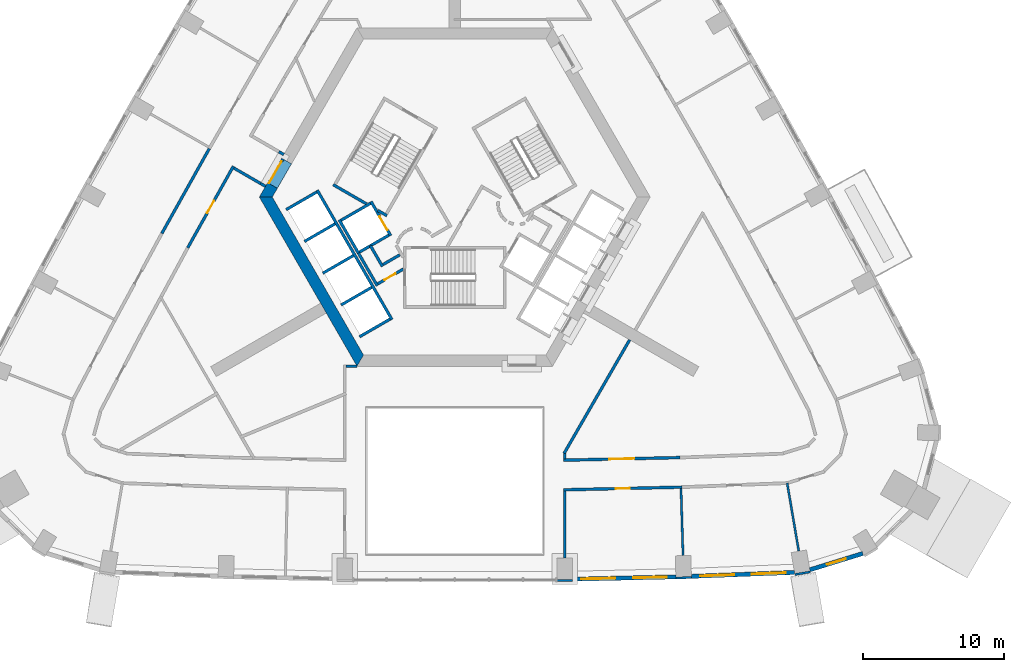
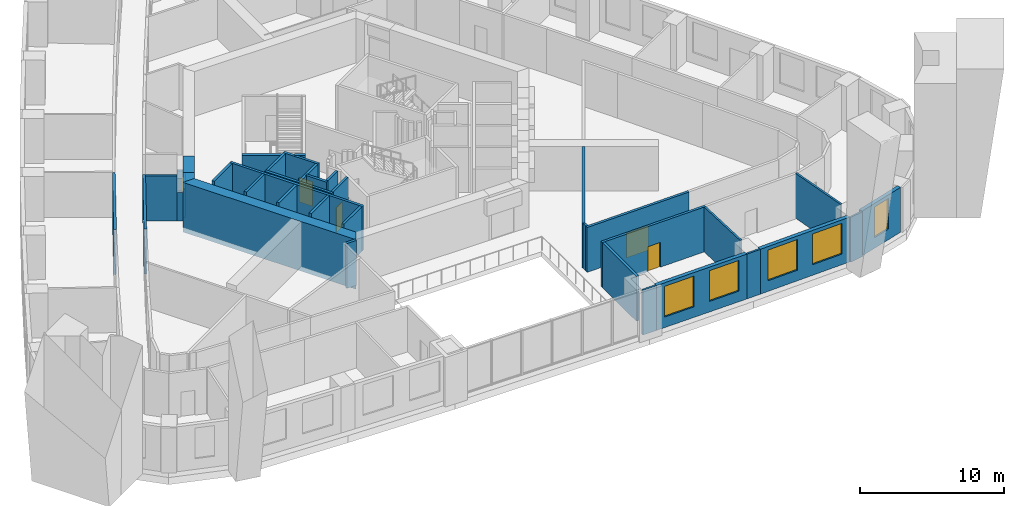
# One storey, part 5 of 15: 39 walls, 6 doors, 5 windows, 11 openings.
"""IFC4 building model written with IfcOpenShell, lengths in metres."""

from ifc_helpers import new_model, si_unit, direction, frame, frame_2d, origin, place, context, subcontext, project, spatial, polyline, rectangle, outline, extrude, material, layer, layer_set, type_object, element, fill, save


model = new_model("IFC4")

# Units and contexts
model_context = context("Model", 3, precision=1e-05, world=origin(), true_north=direction((0.0, 1.0)))
body_context = subcontext(model_context, "Body", "Model", "MODEL_VIEW")
ifc_project = project(units=[si_unit("LENGTHUNIT", "METRE"), si_unit("AREAUNIT", "SQUARE_METRE"), si_unit("VOLUMEUNIT", "CUBIC_METRE"), si_unit("PLANEANGLEUNIT", "RADIAN"), si_unit("MASSUNIT", "GRAM", prefix="KILO")], contexts=[model_context])

# Site, building, storey
site_placement = place(None, origin())
site = spatial("IfcSite", under=ifc_project, at=site_placement, CompositionType="ELEMENT")
building_placement = place(site_placement, origin())
building = spatial("IfcBuilding", under=site, at=building_placement, Name="Entoto Arch Interchange Tower", CompositionType="ELEMENT")
storey_placement = place(building_placement, frame((0.0, 0.0, 150.800048828125)))
storey = spatial("IfcBuildingStorey", under=building, at=storey_placement, Name="L33", CompositionType="ELEMENT", Elevation=150.800048828125)

# Wall, opening, door
ifc_material_1 = material(Name="Reinforced concrete C40/50", Category="concrete")
ifc_layer_1 = layer(ifc_material_1, 0.199951171875)
ifc_layer_set_1 = layer_set([ifc_layer_1], Name="Reinforced concrete C40/50")
wall_type_1 = type_object("IfcWallType", Name="CORE GAP INFILL WALL", PredefinedType="PARTITIONING", material=ifc_layer_set_1)
wall_1_placement = place(storey_placement, frame((-12.179931640625, 5.201904296875, 0.0), z_axis=(0.0, 0.0, 1.0), x_axis=(-0.50002537861, -0.866010750942, 0.0)))
wall_1 = element("IfcWall", 1, at=wall_1_placement, inside=storey, type_object=wall_type_1, Name="wall:L33:gap3", PredefinedType="PARTITIONING", context=body_context, shape_type="SweptSolid", body=[
    extrude(rectangle(XDim=2.0, YDim=0.199951171875, at=frame_2d((1.0, 0.0))), origin(), (0.0, 0.0, 1.0), 2.39990234375),
])
opening_1_placement = place(wall_1_placement, frame((0.18994140625, 0.0, 0.0)))
opening_1 = element("IfcOpeningElement", 2, at=opening_1_placement, cuts=wall_1, Name="Opening L33-D93", PredefinedType="OPENING", context=body_context, shape_type="SweptSolid", body=[
    extrude(rectangle(XDim=1.800048828125, YDim=2.10009765625, at=frame_2d((0.89990234375, 1.050048828125))), frame((0.0, 0.10986328125, 0.0), z_axis=(0.0, -1.0, 0.0), x_axis=(1.0, 0.0, 0.0)), (0.0, 0.0, 1.0), 0.219970703125),
])
ifc_material_2 = material(Name="Fire-rated Steel S235 door and frame", Category="steel")
door_type_1 = type_object("IfcDoorType", Name="DOOR FD-18 1800x2100", OperationType="DOUBLE_DOOR_SINGLE_SWING", PredefinedType="DOOR", material=ifc_material_2)
door_1_placement = place(opening_1_placement, origin())
door_1 = element("IfcDoor", 3, at=door_1_placement, inside=storey, type_object=door_type_1, Name="door:L33:gap3", OperationType="DOUBLE_DOOR_SINGLE_SWING", OverallHeight=2.10009765625, OverallWidth=1.800048828125, PredefinedType="DOOR", context=body_context, shape_type="SweptSolid", body=[
    extrude(rectangle(XDim=1.800048828125, YDim=2.10009765625, at=frame_2d((0.89990234375, 1.050048828125))), frame((0.0, 0.02490234375, 0.0), z_axis=(0.0, -1.0, 0.0), x_axis=(1.0, 0.0, 0.0)), (0.0, 0.0, 1.0), 0.050048828125),
])
fill(opening_1, door_1)

# Walls
ifc_material_3 = material(Name="Concrete C50/60", Category="concrete")
ifc_layer_2 = layer(ifc_material_3, 0.800048828125)
ifc_layer_set_2 = layer_set([ifc_layer_2], Name="Concrete C50/60")
wall_type_2 = type_object("IfcWallType", Name="Core wall 800 C50/60", PredefinedType="SHEAR", material=ifc_layer_set_2)
wall_2_placement = place(storey_placement, frame((0.0, 0.0, -0.400146484375)))
element("IfcWall", 4, at=wall_2_placement, inside=storey, type_object=wall_type_2, Name="Core wall NW L33", PredefinedType="SHEAR", context=body_context, shape_type="SweptSolid", body=[
    extrude(outline(polyline([(-12.574951171875, 3.1201171875), (-13.26708984375, 3.52001953125), (-13.85595703125, 2.5), (-12.93310546875, 2.5), (-12.574951171875, 3.1201171875)])), origin(), (0.0, 0.0, 1.0), 4.2001953125),
])
wall_3_placement = place(storey_placement, frame((0.0, 0.0, 3.599853515625)))
element("IfcWall", 5, at=wall_3_placement, inside=storey, type_object=wall_type_2, Name="Core wall lintel NW L33", PredefinedType="SHEAR", context=body_context, shape_type="SweptSolid", body=[
    extrude(outline(polyline([(-13.26708984375, 3.52001953125), (-12.574951171875, 3.1201171875), (-11.574951171875, 4.85205078125), (-12.26708984375, 5.251953125), (-13.26708984375, 3.52001953125)])), origin(), (0.0, 0.0, 1.0), 0.2001953125),
])
wall_4_placement = place(storey_placement, frame((0.0, 0.0, -0.400146484375)))
element("IfcWall", 6, at=wall_4_placement, inside=storey, type_object=wall_type_2, Name="Core wall SW L33", PredefinedType="SHEAR", context=body_context, shape_type="SweptSolid", body=[
    extrude(outline(polyline([(-13.85595703125, 2.5), (-6.927978515625, -9.5), (-6.466064453125, -8.699951171875), (-12.93310546875, 2.5), (-13.85595703125, 2.5)])), origin(), (0.0, 0.0, 1.0), 4.2001953125),
])

# Wall, opening, door
ifc_material_4 = material(Name="Concrete C40/50", Category="concrete")
ifc_layer_3 = layer(ifc_material_4, 0.199951171875)
ifc_layer_set_3 = layer_set([ifc_layer_3], Name="Concrete C40/50")
wall_type_3 = type_object("IfcWallType", Name="LIFT SHAFT WALL 200", PredefinedType="STANDARD", material=ifc_layer_set_3)
wall_5_placement = place(storey_placement, frame((-5.93994140625, 2.18798828125, 0.0), z_axis=(0.0, 0.0, 1.0), x_axis=(0.49994636267, -0.866056369097, 0.0)))
wall_5 = element("IfcWall", 7, at=wall_5_placement, inside=storey, type_object=wall_type_3, Name="Shaft wall SW1 front", PredefinedType="STANDARD", context=body_context, shape_type="SweptSolid", body=[
    extrude(rectangle(XDim=2.800048828125, YDim=0.199951171875, at=frame_2d((1.39990234375, 0.0))), origin(), (0.0, 0.0, 1.0), 3.800048828125),
])
opening_2_placement = place(wall_5_placement, frame((1.22509765625, 0.0, 0.0)))
opening_2 = element("IfcOpeningElement", 8, at=opening_2_placement, cuts=wall_5, Name="Opening LD-FF2-L33", PredefinedType="OPENING", context=body_context, shape_type="SweptSolid", body=[
    extrude(rectangle(XDim=1.10009765625, YDim=2.10009765625, at=frame_2d((0.550048828125, 1.050048828125))), frame((0.0, 0.10986328125, 0.0), z_axis=(0.0, -1.0, 0.0), x_axis=(1.0, 0.0, 0.0)), (0.0, 0.0, 1.0), 0.219970703125),
])
ifc_material_5 = material(Name="Stainless steel 1.4301 panels", Category="steel")
door_type_2 = type_object("IfcDoorType", Name="LIFT LANDING DOOR LD1 1100x2100", OperationType="SLIDING_TO_LEFT", PredefinedType="DOOR", material=ifc_material_5)
door_2_placement = place(opening_2_placement, origin())
door_2 = element("IfcDoor", 9, at=door_2_placement, inside=storey, type_object=door_type_2, Name="Lift landing door FF2 L33", OperationType="SLIDING_TO_LEFT", OverallHeight=2.10009765625, OverallWidth=1.10009765625, PredefinedType="DOOR", context=body_context, shape_type="SweptSolid", body=[
    extrude(rectangle(XDim=1.10009765625, YDim=2.10009765625, at=frame_2d((0.550048828125, 1.050048828125))), frame((0.0, 0.02490234375, 0.0), z_axis=(0.0, -1.0, 0.0), x_axis=(1.0, 0.0, 0.0)), (0.0, 0.0, 1.0), 0.050048828125),
])
fill(opening_2, door_2)

# Walls
wall_6_placement = place(storey_placement, frame((-8.19189453125, 0.887939453125, 0.0), z_axis=(0.0, 0.0, 1.0), x_axis=(0.49994636267, -0.866056369097, 0.0)))
element("IfcWall", 10, at=wall_6_placement, inside=storey, type_object=wall_type_3, Name="Shaft wall SW1 back", PredefinedType="STANDARD", context=body_context, shape_type="SweptSolid", body=[
    extrude(rectangle(XDim=2.800048828125, YDim=0.199951171875, at=frame_2d((1.39990234375, 0.0))), origin(), (0.0, 0.0, 1.0), 3.800048828125),
])
for number, where, z_axis, x_axis, name in (
    (11, (-5.97705078125, 2.052001953125, 0.0), (0.0, 0.0, 1.0), (-0.865973769406, -0.500089422704, 0.0), "Shaft wall SW1 cross 1"),
    (12, (-4.677001953125, -0.199951171875, 0.0), (0.0, 0.0, 1.0), (-0.865973769406, -0.500089422704, 0.0), "Shaft wall SW1 cross 2"),
):
    element("IfcWall", number, at=place(storey_placement, frame(where, z_axis=z_axis, x_axis=x_axis)), inside=storey, type_object=wall_type_3, Name=name, PredefinedType="STANDARD", context=body_context, shape_type="SweptSolid", body=[
        extrude(rectangle(XDim=2.3994140625, YDim=0.199951171875, at=frame_2d((1.19970703125, 0.0))), origin(), (0.0, 0.0, 1.0), 3.800048828125),
    ])
wall_7_placement = place(storey_placement, frame((-9.7509765625, 2.989990234375, 0.0), z_axis=(0.0, 0.0, 1.0), x_axis=(0.50000090737, -0.866024879913, 0.0)))
element("IfcWall", 13, at=wall_7_placement, inside=storey, type_object=wall_type_3, Name="Shaft wall SW3 front", PredefinedType="STANDARD", context=body_context, shape_type="SweptSolid", body=[
    extrude(rectangle(XDim=10.60009765625, YDim=0.199951171875, at=frame_2d((5.300048828125, 0.0))), origin(), (0.0, 0.0, 1.0), 3.800048828125),
])
wall_8_placement = place(storey_placement, frame((-9.7880859375, 2.85302734375, 0.0), z_axis=(0.0, 0.0, 1.0), x_axis=(-0.865998541277, -0.500046524342, 0.0)))
element("IfcWall", 14, at=wall_8_placement, inside=storey, type_object=wall_type_3, Name="Shaft wall SW3 cross 1", PredefinedType="STANDARD", context=body_context, shape_type="SweptSolid", body=[
    extrude(rectangle(XDim=2.499755859375, YDim=0.199951171875, at=frame_2d((1.25, 0.0))), origin(), (0.0, 0.0, 1.0), 3.800048828125),
])
for number, where, z_axis, x_axis, name in (
    (15, (-8.488037109375, 0.60205078125, 0.0), (0.0, 0.0, 1.0), (-0.866022959057, -0.500004234368, 0.0), "Shaft wall SW3 cross 2"),
    (16, (-7.18798828125, -1.64990234375, 0.0), (0.0, 0.0, 1.0), (-0.866022959057, -0.500004234368, 0.0), "Shaft wall SW3 cross 3"),
    (17, (-5.887939453125, -3.902099609375, 0.0), (0.0, 0.0, 1.0), (-0.866022959057, -0.500004234368, 0.0), "Shaft wall SW3 cross 4"),
    (18, (-4.587890625, -6.153076171875, 0.0), (0.0, 0.0, 1.0), (-0.866022959057, -0.500004234368, 0.0), "Shaft wall SW3 cross 5"),
):
    element("IfcWall", number, at=place(storey_placement, frame(where, z_axis=z_axis, x_axis=x_axis)), inside=storey, type_object=wall_type_3, Name=name, PredefinedType="STANDARD", context=body_context, shape_type="SweptSolid", body=[
        extrude(rectangle(XDim=2.5, YDim=0.199951171875, at=frame_2d((1.25, 0.0))), origin(), (0.0, 0.0, 1.0), 3.800048828125),
    ])
ifc_material_6 = material(Name="Gypsum board partition on steel studs", Category="steel")
ifc_layer_4 = layer(ifc_material_6, 0.14990234375)
ifc_layer_set_4 = layer_set([ifc_layer_4], Name="Gypsum board partition on steel studs")
wall_type_4 = type_object("IfcWallType", Name="PARTITION 150", PredefinedType="PARTITIONING", material=ifc_layer_set_4)
wall_9_placement = place(storey_placement, frame((16.0390625, -18.1689453125, 0.0), z_axis=(0.0, 0.0, 1.0), x_axis=(0.030457921157, -0.999536049895, 0.0)))
element("IfcWall", 19, at=wall_9_placement, inside=storey, type_object=wall_type_4, Name="wall:L33:p123", PredefinedType="PARTITIONING", context=body_context, shape_type="SweptSolid", body=[
    extrude(rectangle(XDim=4.729248046875, YDim=0.14990234375, at=frame_2d((2.36474609375, 0.0))), origin(), (0.0, 0.0, 1.0), 3.800048828125),
])
wall_10_placement = place(storey_placement, frame((23.56689453125, -17.779052734375, 0.0), z_axis=(0.0, 0.0, 1.0), x_axis=(0.168027663896, -0.985782280306, 0.0)))
element("IfcWall", 20, at=wall_10_placement, inside=storey, type_object=wall_type_4, Name="wall:L33:p124", PredefinedType="PARTITIONING", context=body_context, shape_type="SweptSolid", body=[
    extrude(rectangle(XDim=4.886474609375, YDim=0.14990234375, at=frame_2d((2.443359375, 0.0))), origin(), (0.0, 0.0, 1.0), 3.800048828125),
])

# Wall, opening, door
ifc_layer_5 = layer(ifc_material_6, 0.199951171875)
ifc_layer_set_5 = layer_set([ifc_layer_5], Name="Gypsum board partition on steel studs")
wall_type_5 = type_object("IfcWallType", Name="PARTITION 200", PredefinedType="PARTITIONING", material=ifc_layer_set_5)
wall_11_placement = place(storey_placement, frame((7.699951171875, -16.156982421875, 0.0), z_axis=(0.0, 0.0, 1.0), x_axis=(0.999744539931, 0.022602098978, 0.0)))
wall_11 = element("IfcWall", 21, at=wall_11_placement, inside=storey, type_object=wall_type_5, Name="wall:L33:p020", PredefinedType="PARTITIONING", context=body_context, shape_type="SweptSolid", body=[
    extrude(rectangle(XDim=8.274169921875, YDim=0.199951171875, at=frame_2d((4.13720703125, 0.0))), origin(), (0.0, 0.0, 1.0), 3.800048828125),
])
opening_3_placement = place(wall_11_placement, frame((3.237060546875, 0.0, 0.0)))
opening_3 = element("IfcOpeningElement", 22, at=opening_3_placement, cuts=wall_11, Name="Opening L33-D18", PredefinedType="OPENING", context=body_context, shape_type="SweptSolid", body=[
    extrude(rectangle(XDim=1.800048828125, YDim=2.10009765625, at=frame_2d((0.89990234375, 1.050048828125))), frame((0.0, 0.10986328125, 0.0), z_axis=(0.0, -1.0, 0.0), x_axis=(1.0, 0.0, 0.0)), (0.0, 0.0, 1.0), 0.219970703125),
])
ifc_material_7 = material(Name="Timber door leaf in Steel S235 frame", Category="steel")
door_type_3 = type_object("IfcDoorType", Name="DOOR DD-18 1800x2100", OperationType="DOUBLE_DOOR_SINGLE_SWING", PredefinedType="DOOR", material=ifc_material_7)
door_3_placement = place(opening_3_placement, origin())
door_3 = element("IfcDoor", 23, at=door_3_placement, inside=storey, type_object=door_type_3, Name="door:L33:18", OperationType="DOUBLE_DOOR_SINGLE_SWING", OverallHeight=2.10009765625, OverallWidth=1.800048828125, PredefinedType="DOOR", context=body_context, shape_type="SweptSolid", body=[
    extrude(rectangle(XDim=1.800048828125, YDim=2.10009765625, at=frame_2d((0.89990234375, 1.050048828125))), frame((0.0, 0.02490234375, 0.0), z_axis=(0.0, -1.0, 0.0), x_axis=(1.0, 0.0, 0.0)), (0.0, 0.0, 1.0), 0.050048828125),
])
fill(opening_3, door_3)

# Wall
wall_12_placement = place(storey_placement, frame((-13.4169921875, 3.260009765625, 0.0), z_axis=(0.0, 0.0, 1.0), x_axis=(-0.866398669086, 0.499352927503, 0.0)))
element("IfcWall", 24, at=wall_12_placement, inside=storey, type_object=wall_type_5, Name="wall:L33:p029", PredefinedType="PARTITIONING", context=body_context, shape_type="SweptSolid", body=[
    extrude(rectangle(XDim=0.400390625, YDim=0.199951171875, at=frame_2d((0.2001953125, 0.0))), origin(), (0.0, 0.0, 1.0), 2.39990234375),
])

# Wall, opening, door
wall_13_placement = place(storey_placement, frame((-15.69189453125, 4.68896484375, 0.0), z_axis=(0.0, 0.0, 1.0), x_axis=(-0.48849233301, -0.872568186786, 0.0)))
wall_13 = element("IfcWall", 25, at=wall_13_placement, inside=storey, type_object=wall_type_5, Name="wall:L33:p030", PredefinedType="PARTITIONING", context=body_context, shape_type="SweptSolid", body=[
    extrude(rectangle(XDim=6.628662109375, YDim=0.199951171875, at=frame_2d((3.314453125, 0.0))), origin(), (0.0, 0.0, 1.0), 3.800048828125),
])
opening_4_placement = place(wall_13_placement, frame((2.81396484375, 0.0, 0.0)))
opening_4 = element("IfcOpeningElement", 26, at=opening_4_placement, cuts=wall_13, Name="Opening L33-D24", PredefinedType="OPENING", context=body_context, shape_type="SweptSolid", body=[
    extrude(rectangle(XDim=1.0, YDim=2.10009765625, at=frame_2d((0.5, 1.050048828125))), frame((0.0, 0.10986328125, 0.0), z_axis=(0.0, -1.0, 0.0), x_axis=(1.0, 0.0, 0.0)), (0.0, 0.0, 1.0), 0.219970703125),
])
door_type_4 = type_object("IfcDoorType", Name="DOOR DS-10 1000x2100", OperationType="SINGLE_SWING_LEFT", PredefinedType="DOOR", material=ifc_material_7)
door_4_placement = place(opening_4_placement, origin())
door_4 = element("IfcDoor", 27, at=door_4_placement, inside=storey, type_object=door_type_4, Name="door:L33:24", OperationType="SINGLE_SWING_LEFT", OverallHeight=2.10009765625, OverallWidth=1.0, PredefinedType="DOOR", context=body_context, shape_type="SweptSolid", body=[
    extrude(rectangle(XDim=1.0, YDim=2.10009765625, at=frame_2d((0.5, 1.050048828125))), frame((0.0, 0.02490234375, 0.0), z_axis=(0.0, -1.0, 0.0), x_axis=(1.0, 0.0, 0.0)), (0.0, 0.0, 1.0), 0.050048828125),
])
fill(opening_4, door_4)

wall_14_placement = place(storey_placement, frame((16.111083984375, -18.06689453125, 0.0), z_axis=(0.0, 0.0, 1.0), x_axis=(-0.999741835545, -0.022721405353, 0.0)))
wall_14 = element("IfcWall", 28, at=wall_14_placement, inside=storey, type_object=wall_type_5, Name="wall:L33:p040", PredefinedType="PARTITIONING", context=body_context, shape_type="SweptSolid", body=[
    extrude(rectangle(XDim=8.413330078125, YDim=0.199951171875, at=frame_2d((4.20654296875, 0.0))), origin(), (0.0, 0.0, 1.0), 3.800048828125),
])
opening_5_placement = place(wall_14_placement, frame((3.7060546875, 0.0, 0.0)))
opening_5 = element("IfcOpeningElement", 29, at=opening_5_placement, cuts=wall_14, Name="Opening L33-D01", PredefinedType="OPENING", context=body_context, shape_type="SweptSolid", body=[
    extrude(rectangle(XDim=1.0, YDim=2.10009765625, at=frame_2d((0.5, 1.050048828125))), frame((0.0, 0.10986328125, 0.0), z_axis=(0.0, -1.0, 0.0), x_axis=(1.0, 0.0, 0.0)), (0.0, 0.0, 1.0), 0.219970703125),
])
door_5_placement = place(opening_5_placement, origin())
door_5 = element("IfcDoor", 30, at=door_5_placement, inside=storey, type_object=door_type_4, Name="door:L33:01", OperationType="SINGLE_SWING_RIGHT", OverallHeight=2.10009765625, OverallWidth=1.0, PredefinedType="DOOR", context=body_context, shape_type="SweptSolid", body=[
    extrude(rectangle(XDim=1.0, YDim=2.10009765625, at=frame_2d((0.5, 1.050048828125))), frame((0.0, 0.02490234375, 0.0), z_axis=(0.0, -1.0, 0.0), x_axis=(1.0, 0.0, 0.0)), (0.0, 0.0, 1.0), 0.050048828125),
])
fill(opening_5, door_5)

# Walls
wall_15_placement = place(storey_placement, frame((-20.76904296875, -0.08203125, 0.0), z_axis=(0.0, 0.0, 1.0), x_axis=(0.488387759141, 0.872626722443, 0.0)))
element("IfcWall", 31, at=wall_15_placement, inside=storey, type_object=wall_type_5, Name="wall:L33:p065", PredefinedType="PARTITIONING", context=body_context, shape_type="SweptSolid", body=[
    extrude(rectangle(XDim=6.896484375, YDim=0.199951171875, at=frame_2d((3.4482421875, 0.0))), origin(), (0.0, 0.0, 1.0), 3.800048828125),
])
wall_16_placement = place(storey_placement, frame((-3.89990234375, -1.59912109375, 0.0), z_axis=(0.0, 0.0, 1.0), x_axis=(-0.865969445389, -0.500096910261, 0.0)))
element("IfcWall", 32, at=wall_16_placement, inside=storey, type_object=wall_type_5, Name="wall:L33:p080", PredefinedType="PARTITIONING", context=body_context, shape_type="SweptSolid", body=[
    extrude(rectangle(XDim=1.373291015625, YDim=0.199951171875, at=frame_2d((0.6865234375, 0.0))), origin(), (0.0, 0.0, 1.0), 3.800048828125),
])
wall_17_placement = place(storey_placement, frame((-5.1259765625, -2.422119140625, 0.0), z_axis=(0.0, 0.0, 1.0), x_axis=(-0.500062241894, 0.865989465428, 0.0)))
element("IfcWall", 33, at=wall_17_placement, inside=storey, type_object=wall_type_5, Name="wall:L33:p081", PredefinedType="PARTITIONING", context=body_context, shape_type="SweptSolid", body=[
    extrude(rectangle(XDim=1.699951171875, YDim=0.199951171875, at=frame_2d((0.85009765625, 0.0))), origin(), (0.0, 0.0, 1.0), 3.800048828125),
])

# Wall, opening, door
wall_18_placement = place(storey_placement, frame((-3.64990234375, -2.610107421875, 0.0), z_axis=(0.0, 0.0, 1.0), x_axis=(-0.866072462134, -0.499918483688, 0.0)))
wall_18 = element("IfcWall", 34, at=wall_18_placement, inside=storey, type_object=wall_type_5, Name="wall:L33:p082", PredefinedType="PARTITIONING", context=body_context, shape_type="SweptSolid", body=[
    extrude(rectangle(XDim=2.084228515625, YDim=0.199951171875, at=frame_2d((1.0419921875, 0.0))), origin(), (0.0, 0.0, 1.0), 3.800048828125),
])
opening_6_placement = place(wall_18_placement, frame((0.64208984375, 0.0, 0.0)))
opening_6 = element("IfcOpeningElement", 35, at=opening_6_placement, cuts=wall_18, Name="Opening L33-D33", PredefinedType="OPENING", context=body_context, shape_type="SweptSolid", body=[
    extrude(rectangle(XDim=0.89990234375, YDim=2.10009765625, at=frame_2d((0.449951171875, 1.050048828125))), frame((0.0, 0.10986328125, 0.0), z_axis=(0.0, -1.0, 0.0), x_axis=(1.0, 0.0, 0.0)), (0.0, 0.0, 1.0), 0.219970703125),
])
door_type_5 = type_object("IfcDoorType", Name="DOOR DS-09 900x2100", OperationType="SINGLE_SWING_LEFT", PredefinedType="DOOR", material=ifc_material_7)
door_6_placement = place(opening_6_placement, origin())
door_6 = element("IfcDoor", 36, at=door_6_placement, inside=storey, type_object=door_type_5, Name="door:L33:33", OperationType="SINGLE_SWING_LEFT", OverallHeight=2.10009765625, OverallWidth=0.89990234375, PredefinedType="DOOR", context=body_context, shape_type="SweptSolid", body=[
    extrude(rectangle(XDim=0.89990234375, YDim=2.10009765625, at=frame_2d((0.449951171875, 1.050048828125))), frame((0.0, 0.02490234375, 0.0), z_axis=(0.0, -1.0, 0.0), x_axis=(1.0, 0.0, 0.0)), (0.0, 0.0, 1.0), 0.050048828125),
])
fill(opening_6, door_6)

# Walls
wall_19_placement = place(storey_placement, frame((-5.491943359375, -3.7880859375, 0.0), z_axis=(0.0, 0.0, 1.0), x_axis=(-0.500008949224, 0.866020236886, 0.0)))
element("IfcWall", 37, at=wall_19_placement, inside=storey, type_object=wall_type_5, Name="wall:L33:p083", PredefinedType="PARTITIONING", context=body_context, shape_type="SweptSolid", body=[
    extrude(rectangle(XDim=2.68017578125, YDim=0.199951171875, at=frame_2d((1.340087890625, 0.0))), origin(), (0.0, 0.0, 1.0), 3.800048828125),
])
wall_20_placement = place(storey_placement, frame((7.800048828125, -15.68994140625, 0.0), z_axis=(0.0, 0.0, 1.0), x_axis=(0.0, -1.0, 0.0)))
element("IfcWall", 38, at=wall_20_placement, inside=storey, type_object=wall_type_5, Name="wall:L33:p104", PredefinedType="PARTITIONING", context=body_context, shape_type="SweptSolid", body=[
    extrude(rectangle(XDim=0.364990234375, YDim=0.199951171875, at=frame_2d((0.1826171875, 0.0))), origin(), (0.0, 0.0, 1.0), 3.800048828125),
])
wall_21_placement = place(storey_placement, frame((-7.699951171875, -9.4990234375, 0.0), z_axis=(0.0, 0.0, 1.0), x_axis=(1.0, 0.0, 0.0)))
element("IfcWall", 39, at=wall_21_placement, inside=storey, type_object=wall_type_5, Name="wall:L33:p106", PredefinedType="PARTITIONING", context=body_context, shape_type="SweptSolid", body=[
    extrude(rectangle(XDim=0.77099609375, YDim=0.199951171875, at=frame_2d((0.385498046875, 0.0))), origin(), (0.0, 0.0, 1.0), 3.800048828125),
])
wall_22_placement = place(storey_placement, frame((7.800048828125, -18.35498046875, 0.0), z_axis=(0.0, 0.0, 1.0), x_axis=(0.0, -1.0, 0.0)))
element("IfcWall", 40, at=wall_22_placement, inside=storey, type_object=wall_type_5, Name="wall:L33:p108", PredefinedType="PARTITIONING", context=body_context, shape_type="SweptSolid", body=[
    extrude(rectangle(XDim=4.73193359375, YDim=0.199951171875, at=frame_2d((2.365966796875, 0.0))), origin(), (0.0, 0.0, 1.0), 3.800048828125),
])
wall_23_placement = place(storey_placement, frame((12.40087890625, -7.62109375, 0.0), z_axis=(0.0, 0.0, 1.0), x_axis=(-0.499983724212, -0.866034800411, 0.0)))
element("IfcWall", 41, at=wall_23_placement, inside=storey, type_object=wall_type_5, Name="wall:L33:p110", PredefinedType="PARTITIONING", context=body_context, shape_type="SweptSolid", body=[
    extrude(rectangle(XDim=9.302001953125, YDim=0.199951171875, at=frame_2d((4.65087890625, 0.0))), origin(), (0.0, 0.0, 1.0), 3.800048828125),
])
wall_24_placement = place(storey_placement, frame((-12.462890625, 5.7119140625, 0.0), z_axis=(0.0, 0.0, 1.0), x_axis=(0.865788603161, -0.500409926597, 0.0)))
element("IfcWall", 42, at=wall_24_placement, inside=storey, type_object=wall_type_5, Name="wall:L33:p004", PredefinedType="PARTITIONING", context=body_context, shape_type="SweptSolid", body=[
    extrude(rectangle(XDim=0.399658203125, YDim=0.199951171875, at=frame_2d((0.19970703125, 0.0))), origin(), (0.0, 0.0, 1.0), 2.39990234375),
])
wall_25_placement = place(storey_placement, frame((-13.763916015625, 3.4599609375, 0.0), z_axis=(0.0, 0.0, 1.0), x_axis=(-0.865872609263, 0.500264554538, 0.0)))
element("IfcWall", 43, at=wall_25_placement, inside=storey, type_object=wall_type_5, Name="wall:L33:p029", PredefinedType="PARTITIONING", context=body_context, shape_type="SweptSolid", body=[
    extrude(rectangle(XDim=2.182861328125, YDim=0.199951171875, at=frame_2d((1.09130859375, 0.0))), origin(), (0.0, 0.0, 1.0), 3.800048828125),
])
ifc_layer_6 = layer(ifc_material_4, 0.199951171875)
ifc_layer_set_6 = layer_set([ifc_layer_6], Name="Concrete C40/50")
wall_type_6 = type_object("IfcWallType", Name="STAIR ENCLOSURE WALL 200", PredefinedType="STANDARD", material=ifc_layer_set_6)
wall_26_placement = place(storey_placement, frame((-6.25, 2.010009765625, 0.0), z_axis=(0.0, 0.0, 1.0), x_axis=(-0.86611865017, 0.499838457731, 0.0)))
element("IfcWall", 44, at=wall_26_placement, inside=storey, type_object=wall_type_6, Name="Stair wall ST-NW far", PredefinedType="STANDARD", context=body_context, shape_type="SweptSolid", body=[
    extrude(rectangle(XDim=2.73291015625, YDim=0.199951171875, at=frame_2d((1.366455078125, 0.0))), origin(), (0.0, 0.0, 1.0), 3.800048828125),
])
wall_27_placement = place(storey_placement, frame((-4.805908203125, 1.176025390625, 0.0), z_axis=(0.0, 0.0, 1.0), x_axis=(-0.866558586415, 0.499075361355, 0.0)))
element("IfcWall", 45, at=wall_27_placement, inside=storey, type_object=wall_type_6, Name="Stair wall ST-NW far return", PredefinedType="STANDARD", context=body_context, shape_type="SweptSolid", body=[
    extrude(rectangle(XDim=0.75146484375, YDim=0.199951171875, at=frame_2d((0.375732421875, 0.0))), origin(), (0.0, 0.0, 1.0), 3.800048828125),
])

# Wall, openings, windows
ifc_material_8 = material(Name="Welded tuff (ignimbrite) cladding, warm buff", Category="masonry")
ifc_layer_7 = layer(ifc_material_8, 0.300048828125)
ifc_layer_set_7 = layer_set([ifc_layer_7], Name="Welded tuff (ignimbrite) cladding, warm buff")
wall_type_7 = type_object("IfcWallType", Name="STONE INFILL WALL 300", PredefinedType="STANDARD", material=ifc_layer_set_7)
wall_28_placement = place(storey_placement, frame((8.346923828125, -24.594970703125, 0.0), z_axis=(0.0, 0.0, 1.0), x_axis=(0.999743825009, 0.022633699594, 0.0)))
wall_28 = element("IfcWall", 46, at=wall_28_placement, inside=storey, type_object=wall_type_7, Name="Facade wall S-04 L33", PredefinedType="STANDARD", context=body_context, shape_type="SweptSolid", body=[
    extrude(rectangle(XDim=7.3349609375, YDim=0.300048828125, at=frame_2d((3.66748046875, 0.0))), origin(), (0.0, 0.0, 1.0), 3.800048828125),
])
opening_7_placement = place(wall_28_placement, frame((0.634033203125, 0.0, 0.89990234375)))
opening_7 = element("IfcOpeningElement", 47, at=opening_7_placement, cuts=wall_28, Name="Opening WO-A", PredefinedType="OPENING", context=body_context, shape_type="SweptSolid", body=[
    extrude(rectangle(XDim=2.39990234375, YDim=2.60009765625, at=frame_2d((1.199951171875, 1.300048828125))), frame((0.0, 0.16015625, 0.0), z_axis=(0.0, -1.0, 0.0), x_axis=(1.0, 0.0, 0.0)), (0.0, 0.0, 1.0), 0.320068359375),
])
opening_8_placement = place(wall_28_placement, frame((4.301025390625, 0.0, 0.89990234375)))
opening_8 = element("IfcOpeningElement", 48, at=opening_8_placement, cuts=wall_28, Name="Opening WO-A", PredefinedType="OPENING", context=body_context, shape_type="SweptSolid", body=[
    extrude(rectangle(XDim=2.39990234375, YDim=2.60009765625, at=frame_2d((1.199951171875, 1.300048828125))), frame((0.0, 0.16015625, 0.0), z_axis=(0.0, -1.0, 0.0), x_axis=(1.0, 0.0, 0.0)), (0.0, 0.0, 1.0), 0.320068359375),
])
ifc_material_9 = material(Name="Clear glass, low-e double glazed", Category="glass")
window_type_1 = type_object("IfcWindowType", Name="WINDOW WO-A 2400x2600", PartitioningType="DOUBLE_PANEL_VERTICAL", PredefinedType="WINDOW", material=ifc_material_9)
window_1_placement = place(opening_7_placement, origin())
window_1 = element("IfcWindow", 49, at=window_1_placement, inside=storey, type_object=window_type_1, Name="Window WO-A S-04 L33", OverallHeight=2.60009765625, OverallWidth=2.39990234375, PartitioningType="SINGLE_PANEL", PredefinedType="WINDOW", context=body_context, shape_type="SweptSolid", body=[
    extrude(rectangle(XDim=2.39990234375, YDim=2.60009765625, at=frame_2d((1.199951171875, 1.300048828125))), frame((0.0, 0.030029296875, 0.0), z_axis=(0.0, -1.0, 0.0), x_axis=(1.0, 0.0, 0.0)), (0.0, 0.0, 1.0), 0.06005859375),
])
fill(opening_7, window_1)
window_2_placement = place(opening_8_placement, origin())
window_2 = element("IfcWindow", 50, at=window_2_placement, inside=storey, type_object=window_type_1, Name="Window WO-A S-04 L33", OverallHeight=2.60009765625, OverallWidth=2.39990234375, PartitioningType="SINGLE_PANEL", PredefinedType="WINDOW", context=body_context, shape_type="SweptSolid", body=[
    extrude(rectangle(XDim=2.39990234375, YDim=2.60009765625, at=frame_2d((1.199951171875, 1.300048828125))), frame((0.0, 0.030029296875, 0.0), z_axis=(0.0, -1.0, 0.0), x_axis=(1.0, 0.0, 0.0)), (0.0, 0.0, 1.0), 0.06005859375),
])
fill(opening_8, window_2)

wall_29_placement = place(storey_placement, frame((16.778076171875, -24.39501953125, 0.0), z_axis=(0.0, 0.0, 1.0), x_axis=(0.999262356942, 0.038402369711, 0.0)))
wall_29 = element("IfcWall", 51, at=wall_29_placement, inside=storey, type_object=wall_type_7, Name="Facade wall S-05 L33", PredefinedType="STANDARD", context=body_context, shape_type="SweptSolid", body=[
    extrude(rectangle(XDim=7.3173828125, YDim=0.300048828125, at=frame_2d((3.65869140625, 0.0))), origin(), (0.0, 0.0, 1.0), 3.800048828125),
])
opening_9_placement = place(wall_29_placement, frame((0.62890625, 0.0, 0.89990234375)))
opening_9 = element("IfcOpeningElement", 52, at=opening_9_placement, cuts=wall_29, Name="Opening WO-A", PredefinedType="OPENING", context=body_context, shape_type="SweptSolid", body=[
    extrude(rectangle(XDim=2.39990234375, YDim=2.60009765625, at=frame_2d((1.199951171875, 1.300048828125))), frame((0.0, 0.16015625, 0.0), z_axis=(0.0, -1.0, 0.0), x_axis=(1.0, 0.0, 0.0)), (0.0, 0.0, 1.0), 0.320068359375),
])
opening_10_placement = place(wall_29_placement, frame((4.2880859375, 0.0, 0.89990234375)))
opening_10 = element("IfcOpeningElement", 53, at=opening_10_placement, cuts=wall_29, Name="Opening WO-A", PredefinedType="OPENING", context=body_context, shape_type="SweptSolid", body=[
    extrude(rectangle(XDim=2.39990234375, YDim=2.60009765625, at=frame_2d((1.199951171875, 1.300048828125))), frame((0.0, 0.16015625, 0.0), z_axis=(0.0, -1.0, 0.0), x_axis=(1.0, 0.0, 0.0)), (0.0, 0.0, 1.0), 0.320068359375),
])
window_3_placement = place(opening_9_placement, origin())
window_3 = element("IfcWindow", 54, at=window_3_placement, inside=storey, type_object=window_type_1, Name="Window WO-A S-05 L33", OverallHeight=2.60009765625, OverallWidth=2.39990234375, PartitioningType="SINGLE_PANEL", PredefinedType="WINDOW", context=body_context, shape_type="SweptSolid", body=[
    extrude(rectangle(XDim=2.39990234375, YDim=2.60009765625, at=frame_2d((1.199951171875, 1.300048828125))), frame((0.0, 0.030029296875, 0.0), z_axis=(0.0, -1.0, 0.0), x_axis=(1.0, 0.0, 0.0)), (0.0, 0.0, 1.0), 0.06005859375),
])
fill(opening_9, window_3)
window_4_placement = place(opening_10_placement, origin())
window_4 = element("IfcWindow", 55, at=window_4_placement, inside=storey, type_object=window_type_1, Name="Window WO-A S-05 L33", OverallHeight=2.60009765625, OverallWidth=2.39990234375, PartitioningType="SINGLE_PANEL", PredefinedType="WINDOW", context=body_context, shape_type="SweptSolid", body=[
    extrude(rectangle(XDim=2.39990234375, YDim=2.60009765625, at=frame_2d((1.199951171875, 1.300048828125))), frame((0.0, 0.030029296875, 0.0), z_axis=(0.0, -1.0, 0.0), x_axis=(1.0, 0.0, 0.0)), (0.0, 0.0, 1.0), 0.06005859375),
])
fill(opening_10, window_4)

# Wall, opening, window
wall_30_placement = place(storey_placement, frame((25.173095703125, -23.929931640625, 0.0), z_axis=(0.0, 0.0, 1.0), x_axis=(0.955473661147, 0.295076401723, 0.0)))
wall_30 = element("IfcWall", 56, at=wall_30_placement, inside=storey, type_object=wall_type_7, Name="Facade wall SE-01 L33", PredefinedType="STANDARD", context=body_context, shape_type="SweptSolid", body=[
    extrude(rectangle(XDim=3.930908203125, YDim=0.300048828125, at=frame_2d((1.96533203125, 0.0))), origin(), (0.0, 0.0, 1.0), 3.800048828125),
])
opening_11_placement = place(wall_30_placement, frame((1.26611328125, 0.0, 0.89990234375)))
opening_11 = element("IfcOpeningElement", 57, at=opening_11_placement, cuts=wall_30, Name="Opening WO-B", PredefinedType="OPENING", context=body_context, shape_type="SweptSolid", body=[
    extrude(rectangle(XDim=1.39990234375, YDim=2.60009765625, at=frame_2d((0.699951171875, 1.300048828125))), frame((0.0, 0.16015625, 0.0), z_axis=(0.0, -1.0, 0.0), x_axis=(1.0, 0.0, 0.0)), (0.0, 0.0, 1.0), 0.320068359375),
])
window_type_2 = type_object("IfcWindowType", Name="WINDOW WO-B 1400x2600", PartitioningType="DOUBLE_PANEL_VERTICAL", PredefinedType="WINDOW", material=ifc_material_9)
window_5_placement = place(opening_11_placement, origin())
window_5 = element("IfcWindow", 58, at=window_5_placement, inside=storey, type_object=window_type_2, Name="Window WO-B SE-01 L33", OverallHeight=2.60009765625, OverallWidth=1.39990234375, PartitioningType="SINGLE_PANEL", PredefinedType="WINDOW", context=body_context, shape_type="SweptSolid", body=[
    extrude(rectangle(XDim=1.39990234375, YDim=2.60009765625, at=frame_2d((0.699951171875, 1.300048828125))), frame((0.0, 0.030029296875, 0.0), z_axis=(0.0, -1.0, 0.0), x_axis=(1.0, 0.0, 0.0)), (0.0, 0.0, 1.0), 0.06005859375),
])
fill(opening_11, window_5)

# Walls
ifc_layer_8 = layer(ifc_material_8, 0.14990234375)
ifc_layer_set_8 = layer_set([ifc_layer_8], Name="Welded tuff (ignimbrite) cladding, warm buff")
wall_type_8 = type_object("IfcWallType", Name="STONE PIER CLADDING 150", PredefinedType="STANDARD", material=ifc_layer_set_8)
wall_31_placement = place(storey_placement, frame((7.2490234375, -24.68798828125, 0.0), z_axis=(0.0, 0.0, 1.0), x_axis=(0.999940879068, 0.010873746799, 0.0)))
element("IfcWall", 59, at=wall_31_placement, inside=storey, type_object=wall_type_8, Name="Stone pier S04 L33", PredefinedType="STANDARD", context=body_context, shape_type="SweptSolid", body=[
    extrude(rectangle(XDim=1.10009765625, YDim=0.14990234375, at=frame_2d((0.550048828125, 0.0))), origin(), (0.0, 0.0, 1.0), 3.800048828125),
])
wall_32_placement = place(storey_placement, frame((15.681884765625, -24.508056640625, 0.0), z_axis=(0.0, 0.0, 1.0), x_axis=(0.999523702549, 0.030860460829, 0.0)))
element("IfcWall", 60, at=wall_32_placement, inside=storey, type_object=wall_type_8, Name="Stone pier S05 L33", PredefinedType="STANDARD", context=body_context, shape_type="SweptSolid", body=[
    extrude(rectangle(XDim=1.099609375, YDim=0.14990234375, at=frame_2d((0.5498046875, 0.0))), origin(), (0.0, 0.0, 1.0), 3.800048828125),
])
wall_33_placement = place(storey_placement, frame((24.114013671875, -24.260986328125, 0.0), z_axis=(0.0, 0.0, 1.0), x_axis=(0.985763338892, 0.168138751323, 0.0)))
element("IfcWall", 61, at=wall_33_placement, inside=storey, type_object=wall_type_8, Name="Stone pier S06 L33", PredefinedType="STANDARD", context=body_context, shape_type="SweptSolid", body=[
    extrude(rectangle(XDim=1.1005859375, YDim=0.14990234375, at=frame_2d((0.55029296875, 0.0))), origin(), (0.0, 0.0, 1.0), 3.800048828125),
])

save(model, "model.ifc")
